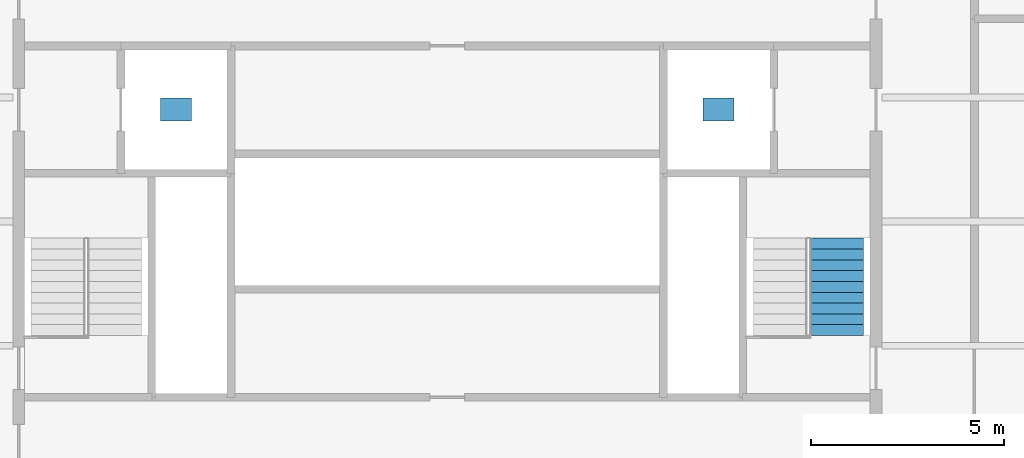
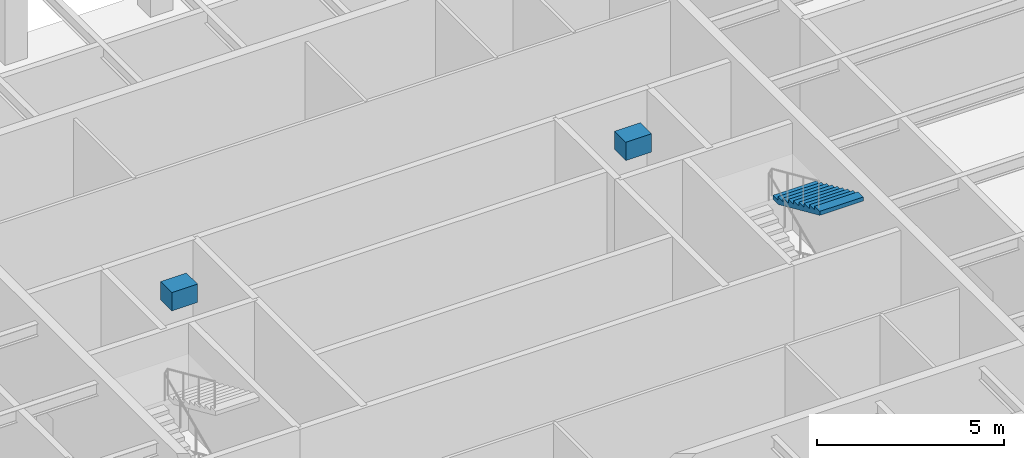
# One storey, part 5 of 6: 2 discrete accessories, 1 stair flight, 1 element without a shape of its own.
"""IFC4 building model written with IfcOpenShell, lengths in metres."""

from ifc_helpers import new_model, si_unit, direction, frame, origin, origin_2d, place, context, subcontext, project, spatial, polyline, rectangle, outline, extrude, material, type_object, element, aggregate, save


model = new_model("IFC4")

# Units and contexts
model_context = context("Model", 3, precision=1e-05, world=origin(), true_north=direction((0.0, 1.0)))
body_context = subcontext(model_context, "Body", "Model", "MODEL_VIEW")
ifc_project = project(units=[si_unit("LENGTHUNIT", "METRE"), si_unit("AREAUNIT", "SQUARE_METRE"), si_unit("VOLUMEUNIT", "CUBIC_METRE"), si_unit("PLANEANGLEUNIT", "RADIAN"), si_unit("MASSUNIT", "GRAM", prefix="KILO")], contexts=[model_context])

# Site, building, storey
site_placement = place(None, origin())
site = spatial("IfcSite", under=ifc_project, at=site_placement, CompositionType="ELEMENT")
building_placement = place(site_placement, origin())
building = spatial("IfcBuilding", under=site, at=building_placement, Name="Quoin Convention Tower", CompositionType="ELEMENT")
storey_placement = place(building_placement, frame((0.0, 0.0, 268.699951171875)))
storey = spatial("IfcBuildingStorey", under=building, at=storey_placement, Name="L70", CompositionType="ELEMENT", Elevation=268.699951171875)

# Stair, stair flight
ifc_material_1 = material(Name="Concrete C40", Category="concrete")
stair_type = type_object("IfcStairType", Name="Exit stair four-flight 1350", PredefinedType="DOUBLE_RETURN_STAIR", material=ifc_material_1)
stair_placement = place(storey_placement, origin())
stair = element("IfcStair", 1, at=stair_placement, inside=storey, type_object=stair_type, Name="SD2 L70", PredefinedType="DOUBLE_RETURN_STAIR")
stair_flight_type = type_object("IfcStairFlightType", Name="Stair flight 1350", PredefinedType="STRAIGHT", material=ifc_material_1)
stair_flight_placement = place(storey_placement, frame((66.35009765625, 60.320068359375, 3.75), z_axis=(0.0, 0.0, 1.0), x_axis=(0.0, -1.0, 0.0)))
stair_flight = element("IfcStairFlight", 2, at=stair_flight_placement, type_object=stair_flight_type, Name="ST2 flight 4", NumberOfRisers=10, NumberOfTreads=9, PredefinedType="STRAIGHT", RiserHeight=0.125, TreadLength=0.28, context=body_context, shape_type="SweptSolid", body=[
    extrude(outline(polyline([(0.0, 0.0), (0.0, 0.125), (0.280029296875, 0.125), (0.280029296875, 0.25), (0.56005859375, 0.25), (0.56005859375, 0.375), (0.840087890625, 0.375), (0.840087890625, 0.5), (1.1201171875, 0.5), (1.1201171875, 0.625), (1.39990234375, 0.625), (1.39990234375, 0.75), (1.679931640625, 0.75), (1.679931640625, 0.875), (1.9599609375, 0.875), (1.9599609375, 1.0), (2.239990234375, 1.0), (2.239990234375, 1.125), (2.52001953125, 1.125), (2.52001953125, 1.25), (2.52001953125, 0.993408203125), (0.294677734375, 0.0), (0.0, 0.0)])), frame((0.0, 0.675048828125, 0.0), z_axis=(0.0, -1.0, 0.0), x_axis=(1.0, 0.0, 0.0)), (0.0, 0.0, 1.0), 1.35009765625),
])
aggregate(stair, [stair_flight])

# Discrete accessories
ifc_material_2 = material(Name="Steel Grade 300", Category="steel")
for number, where, z_axis, x_axis, name in (
    (3, (49.22509765625, 63.64990234375, 4.14990234375), (0.0, 0.0, 1.0), (1.0, 0.0, 0.0), "LIFT MACHINE FL1"),
    (4, (63.27490234375, 63.64990234375, 4.14990234375), (0.0, 0.0, 1.0), (1.0, 0.0, 0.0), "LIFT MACHINE FL2"),
):
    element("IfcDiscreteAccessory", number, at=place(storey_placement, frame(where, z_axis=z_axis, x_axis=x_axis)), inside=storey, material=ifc_material_2, Name=name, ObjectType="Lift machine", PredefinedType="USERDEFINED", context=body_context, shape_type="SweptSolid", body=[
        extrude(rectangle(XDim=0.800048828125, YDim=0.60009765625, at=origin_2d()), origin(), (0.0, 0.0, 1.0), 0.60009765625),
    ])

save(model, "model.ifc")
